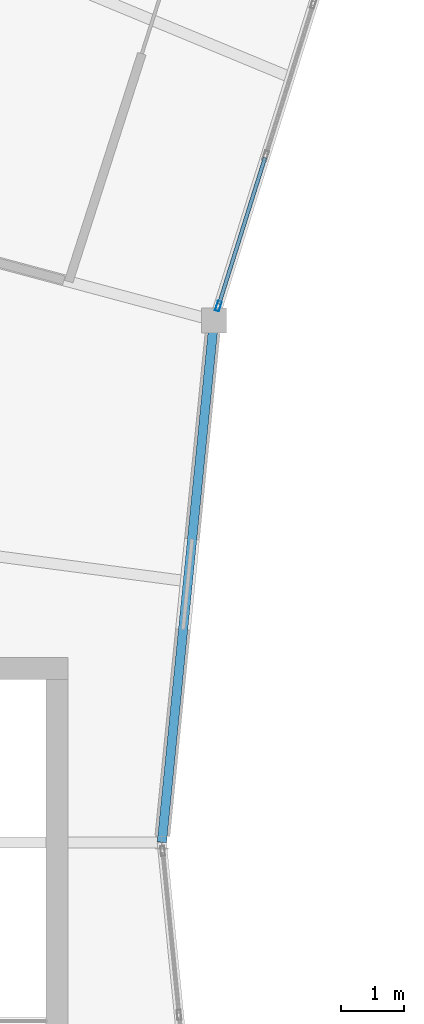
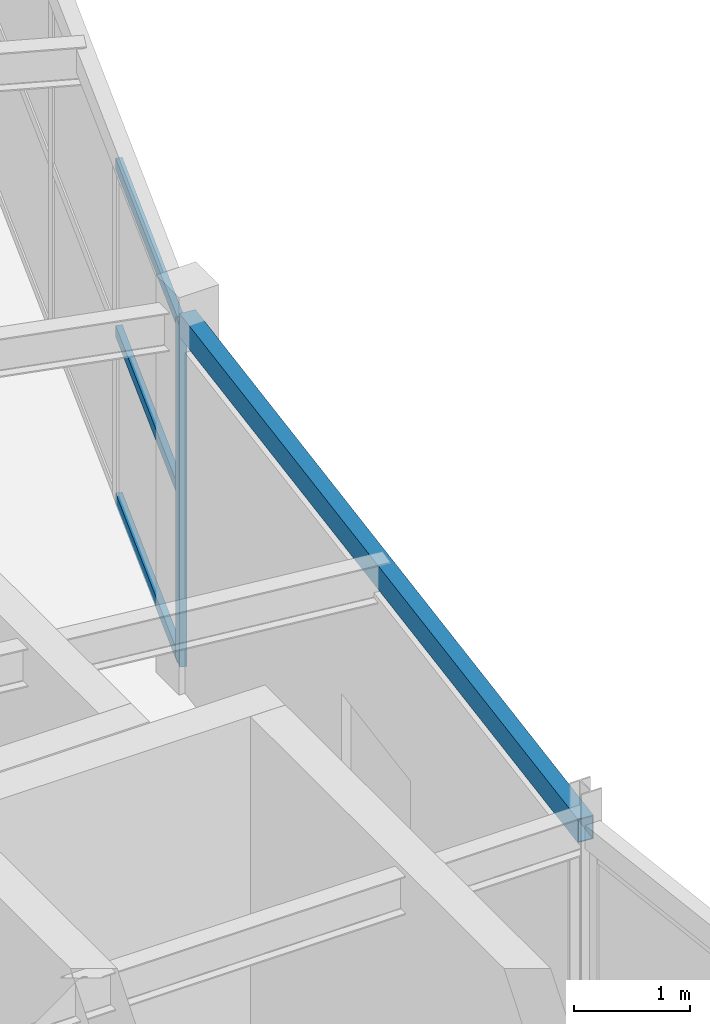
# One storey, part 32 of 106: 4 members, 1 beam, 1 element without a shape of its own.
"""IFC4 building model written with IfcOpenShell, lengths in metres."""

from ifc_helpers import new_model, si_unit, direction, frame, origin, origin_2d, place, context, subcontext, project, spatial, hollow_rectangle, extrude, material, material_profile, profile_set, type_object, element, aggregate, save


model = new_model("IFC4")

# Units and contexts
model_context = context("Model", 3, precision=1e-05, world=origin(), true_north=direction((0.0, 1.0)))
body_context = subcontext(model_context, "Body", "Model", "MODEL_VIEW")
ifc_project = project(units=[si_unit("LENGTHUNIT", "METRE"), si_unit("AREAUNIT", "SQUARE_METRE"), si_unit("VOLUMEUNIT", "CUBIC_METRE"), si_unit("PLANEANGLEUNIT", "RADIAN"), si_unit("MASSUNIT", "GRAM", prefix="KILO")], contexts=[model_context])

# Site, building, storey
site_placement = place(None, origin())
site = spatial("IfcSite", under=ifc_project, at=site_placement, CompositionType="ELEMENT")
building_placement = place(site_placement, origin())
building = spatial("IfcBuilding", under=site, at=building_placement, Name="Karori Crest Natural Sciences Institute", CompositionType="ELEMENT")
storey_placement = place(building_placement, frame((0.0, 0.0, 25.89990234375)))
storey = spatial("IfcBuildingStorey", under=building, at=storey_placement, Name="L06", CompositionType="ELEMENT", Elevation=25.89990234375)

# Beam
ifc_material_1 = material(Name="Hollow structural steel AS/NZS 1163 Grade C350", Category="steel")
ifc_material_profile_1 = material_profile(ifc_material_1, hollow_rectangle(XDim=0.14990234375, YDim=0.25, WallThickness=0.009033203125, at=origin_2d()), Name="RHS250x150x9")
ifc_profile_set_1 = profile_set([ifc_material_profile_1], Name="Hollow structural steel AS/NZS 1163 Grade C350")
beam_type = type_object("IfcBeamType", Name="BT-16", PredefinedType="SPANDREL", material=ifc_profile_set_1)
beam_placement = place(storey_placement, frame((42.831298828125, 58.23388671875, 3.739990234375), z_axis=(-0.099255508608, -0.995061979985, 0.0), x_axis=(0.995061979985, -0.099255508608, 0.0)))
element("IfcBeam", 1, at=beam_placement, inside=storey, type_object=beam_type, Name="Beam B-0678", PredefinedType="SPANDREL", context=body_context, shape_type="SweptSolid", body=[
    extrude(hollow_rectangle(XDim=0.14990234375, YDim=0.25, WallThickness=0.009033203125, at=origin_2d()), origin(), (0.0, 0.0, 1.0), 8.375244140625),
])

# Curtain wall, members
ifc_material_2 = material(Name="Anodised architectural aluminium 6063-T6", Category="aluminium")
curtain_wall_type = type_object("IfcCurtainWallType", Name="CWT-11", PredefinedType="NOTDEFINED", material=ifc_material_2)
curtain_wall_placement = place(storey_placement, origin())
curtain_wall = element("IfcCurtainWall", 2, at=curtain_wall_placement, inside=storey, type_object=curtain_wall_type, Name="Curtain wall CW-0236", PredefinedType="NOTDEFINED")
ifc_material_profile_2 = material_profile(ifc_material_2, hollow_rectangle(XDim=0.06494140625, YDim=0.159912109375, WallThickness=0.00390625, at=origin_2d()), Name="CWM160x65x4")
ifc_profile_set_2 = profile_set([ifc_material_profile_2], Name="Anodised architectural aluminium 6063-T6")
member_type_1 = type_object("IfcMemberType", Name="CWM-01", PredefinedType="MULLION", material=ifc_profile_set_2)
member_1_placement = place(storey_placement, frame((42.9033203125, 58.463134765625, 0.0), z_axis=(0.0, 0.0, 1.0), x_axis=(0.954104067778, -0.299475254154, 0.0)))
member_1 = element("IfcMember", 3, at=member_1_placement, type_object=member_type_1, Name="CW-0236 mullion 4", PredefinedType="MULLION", context=body_context, shape_type="SweptSolid", body=[
    extrude(hollow_rectangle(XDim=0.06494140625, YDim=0.159912109375, WallThickness=0.00390625, at=origin_2d()), origin(), (0.0, 0.0, 1.0), 3.60009765625),
])
ifc_material_profile_3 = material_profile(ifc_material_2, hollow_rectangle(XDim=0.06005859375, YDim=0.1201171875, WallThickness=0.00390625, at=origin_2d()), Name="CWT120x60x4")
ifc_profile_set_3 = profile_set([ifc_material_profile_3], Name="Anodised architectural aluminium 6063-T6")
member_type_2 = type_object("IfcMemberType", Name="CWT-TR1", PredefinedType="USERDEFINED", material=ifc_profile_set_3)
member_2_placement = place(storey_placement, frame((43.647216796875, 60.832763671875, 0.030029296875), z_axis=(-0.29950542383, -0.954094597562, 0.0), x_axis=(0.954094597562, -0.29950542383, 0.0)))
member_2 = element("IfcMember", 4, at=member_2_placement, type_object=member_type_2, Name="CW-0236 transom 3.1", ObjectType="TRANSOM", PredefinedType="USERDEFINED", context=body_context, shape_type="SweptSolid", body=[
    extrude(hollow_rectangle(XDim=0.06005859375, YDim=0.1201171875, WallThickness=0.00390625, at=origin_2d()), origin(), (0.0, 0.0, 1.0), 2.451171875),
])
member_3_placement = place(storey_placement, frame((43.647216796875, 60.832763671875, 1.800048828125), z_axis=(-0.29950542383, -0.954094597562, 0.0), x_axis=(0.954094597562, -0.29950542383, 0.0)))
member_3 = element("IfcMember", 5, at=member_3_placement, type_object=member_type_2, Name="CW-0236 transom 3.2", ObjectType="TRANSOM", PredefinedType="USERDEFINED", context=body_context, shape_type="SweptSolid", body=[
    extrude(hollow_rectangle(XDim=0.06005859375, YDim=0.1201171875, WallThickness=0.00390625, at=origin_2d()), origin(), (0.0, 0.0, 1.0), 2.451171875),
])
member_4_placement = place(storey_placement, frame((43.647216796875, 60.832763671875, 3.570068359375), z_axis=(-0.29950542383, -0.954094597562, 0.0), x_axis=(0.954094597562, -0.29950542383, 0.0)))
member_4 = element("IfcMember", 6, at=member_4_placement, type_object=member_type_2, Name="CW-0236 transom 3.3", ObjectType="TRANSOM", PredefinedType="USERDEFINED", context=body_context, shape_type="SweptSolid", body=[
    extrude(hollow_rectangle(XDim=0.06005859375, YDim=0.1201171875, WallThickness=0.00390625, at=origin_2d()), origin(), (0.0, 0.0, 1.0), 2.451171875),
])
aggregate(curtain_wall, [member_1, member_2, member_3, member_4])

save(model, "model.ifc")
